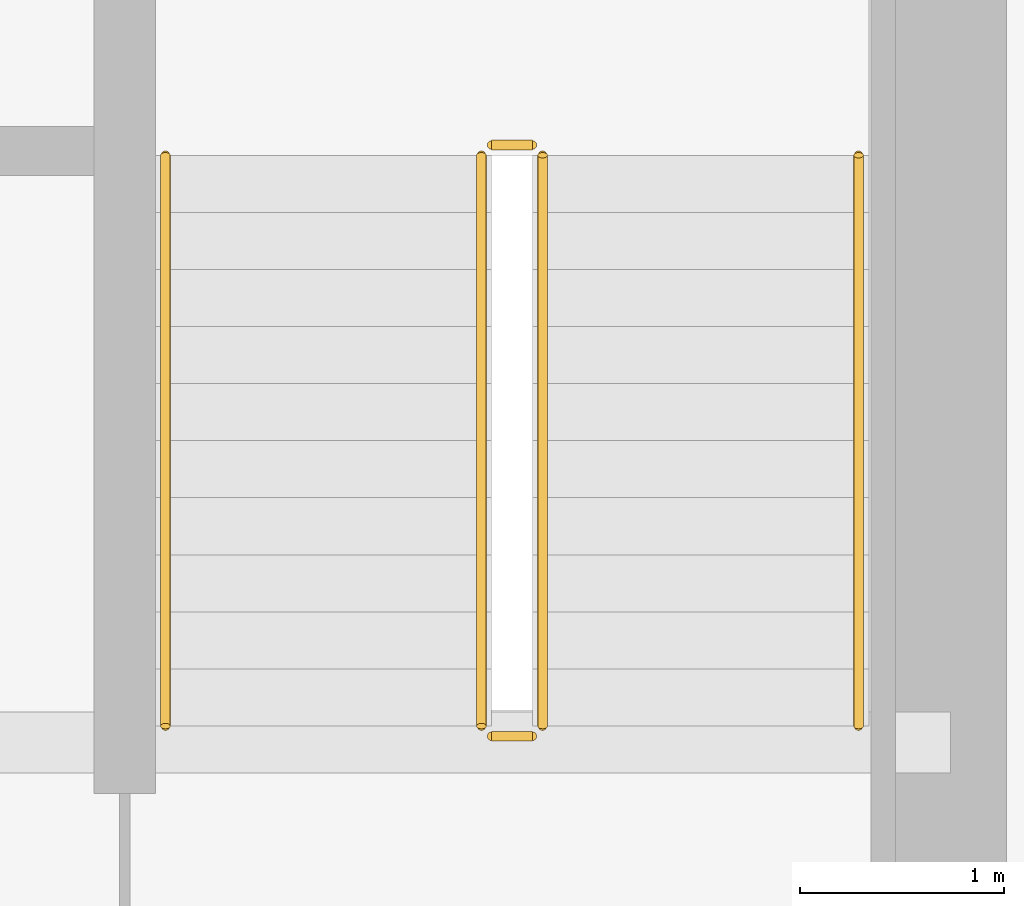
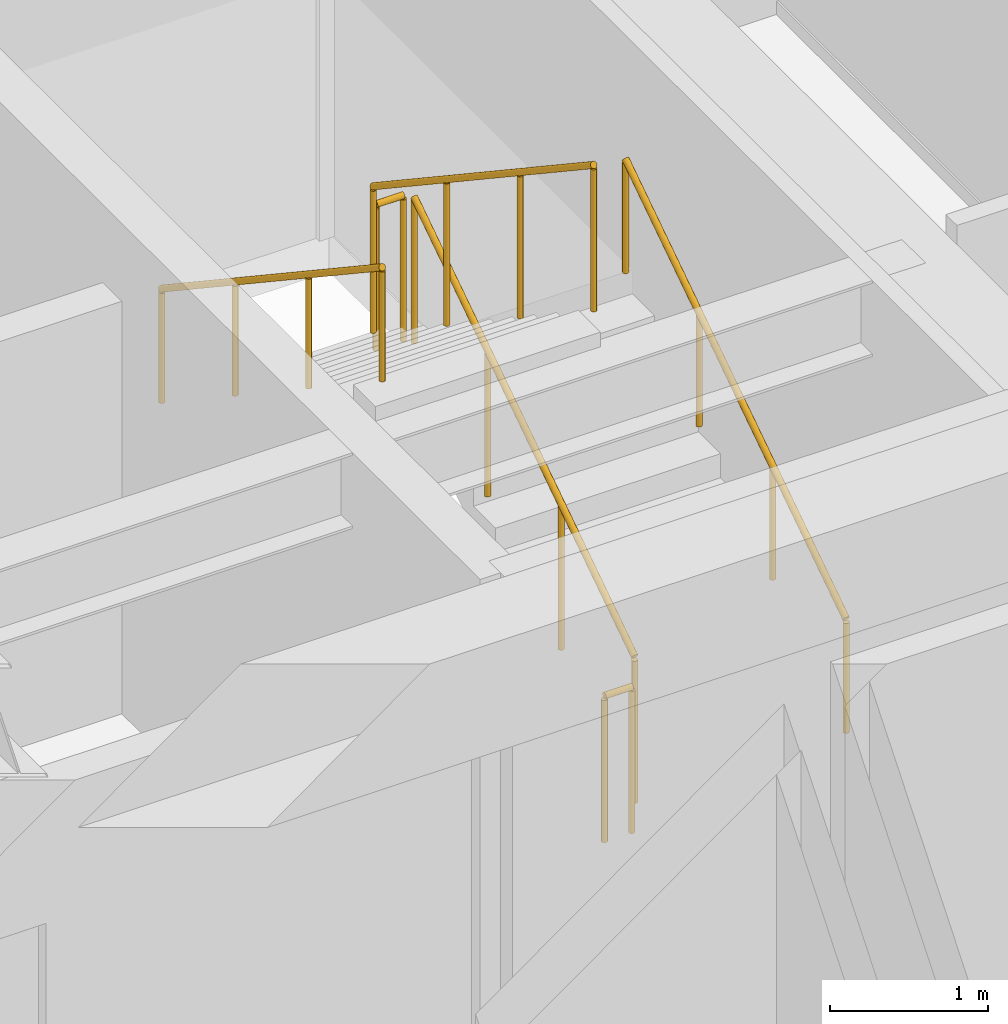
# One storey, part 33 of 33: 6 railings.
"""IFC4 building model written with IfcOpenShell, lengths in metres."""

from ifc_helpers import new_model, si_unit, direction, frame, origin, origin_2d, place, context, subcontext, project, spatial, circle, extrude, source, transform, mapped, material, type_object, type_shapes, element, save


model = new_model("IFC4")

# Units and contexts
model_context = context("Model", 3, precision=1e-05, world=origin(), true_north=direction((0.0, 1.0)))
body_context = subcontext(model_context, "Body", "Model", "MODEL_VIEW")
ifc_project = project(units=[si_unit("LENGTHUNIT", "METRE"), si_unit("AREAUNIT", "SQUARE_METRE"), si_unit("VOLUMEUNIT", "CUBIC_METRE"), si_unit("PLANEANGLEUNIT", "RADIAN"), si_unit("MASSUNIT", "GRAM", prefix="KILO")], contexts=[model_context])

# Site, building, storey
site_placement = place(None, origin())
site = spatial("IfcSite", under=ifc_project, at=site_placement, CompositionType="ELEMENT")
building_placement = place(site_placement, origin())
building = spatial("IfcBuilding", under=site, at=building_placement, Name="Haelvirn Gate Laboratories", CompositionType="ELEMENT")
storey_placement = place(building_placement, frame((0.0, 0.0, 209.60009765625)))
storey = spatial("IfcBuildingStorey", under=building, at=storey_placement, Name="L50", CompositionType="ELEMENT", Elevation=209.60009765625)

# Railings
ifc_material_1 = material(Name="Galvanised steel SM355 & stainless top rail", Category="steel")
railing_type_1 = type_object("IfcRailingType", Name="RL-GUARD-1150", PredefinedType="GUARDRAIL", material=ifc_material_1)
shared_shape_1 = source(origin(), body_context, "Body", "SweptSolid", [
    extrude(circle(Radius=0.02392578125, at=origin_2d()), frame((0.0, 0.0, 1.1259765625), z_axis=(0.0, 0.832485552168, 0.554046753832), x_axis=(-1.0, 0.0, 0.0)), (0.0, 0.0, 1.0), 3.363525390625),
    extrude(circle(Radius=0.02099609375, at=origin_2d()), origin(), (0.0, 0.0, 1.0), 1.101806640625),
    extrude(circle(Radius=0.02099609375, at=origin_2d()), frame((0.0, 0.933349609375, 0.62109375)), (0.0, 0.0, 1.0), 1.101806640625),
    extrude(circle(Radius=0.02099609375, at=origin_2d()), frame((0.0, 1.86669921875, 1.242431640625)), (0.0, 0.0, 1.0), 1.101806640625),
    extrude(circle(Radius=0.02099609375, at=origin_2d()), frame((0.0, 2.800048828125, 1.863525390625)), (0.0, 0.0, 1.0), 1.101806640625),
])
railing_1_placement = place(storey_placement, frame((65.39990234375, 26.699951171875, 0.186279296875)))
element("IfcRailing", 1, at=railing_1_placement, inside=storey, type_object=railing_type_1, Name="L50 ST2 stair guard 1", PredefinedType="GUARDRAIL", context=body_context, shape_type="MappedRepresentation", body=[
    mapped(shared_shape_1, transform((0.0, 0.0, 0.0), scale=1.0)),
])
ifc_material_2 = material(Name="Brushed stainless steel 316L", Category="steel")
railing_type_2 = type_object("IfcRailingType", Name="RL-HAND-920", PredefinedType="HANDRAIL", material=ifc_material_2)
shared_shape_2 = source(origin(), body_context, "Body", "SweptSolid", [
    extrude(circle(Radius=0.02392578125, at=origin_2d()), frame((0.0, 0.0, 0.8759765625), z_axis=(0.0, 0.832485552168, 0.554046753832), x_axis=(-1.0, 0.0, 0.0)), (0.0, 0.0, 1.0), 3.363525390625),
    extrude(circle(Radius=0.02099609375, at=origin_2d()), origin(), (0.0, 0.0, 1.0), 0.851806640625),
    extrude(circle(Radius=0.02099609375, at=origin_2d()), frame((0.0, 0.933349609375, 0.62109375)), (0.0, 0.0, 1.0), 0.851806640625),
    extrude(circle(Radius=0.02099609375, at=origin_2d()), frame((0.0, 1.86669921875, 1.242431640625)), (0.0, 0.0, 1.0), 0.851806640625),
    extrude(circle(Radius=0.02099609375, at=origin_2d()), frame((0.0, 2.800048828125, 1.863525390625)), (0.0, 0.0, 1.0), 0.851806640625),
])
railing_2_placement = place(storey_placement, frame((66.949951171875, 26.699951171875, 0.186279296875)))
element("IfcRailing", 2, at=railing_2_placement, inside=storey, type_object=railing_type_2, Name="L50 ST2 stair handrail 1", PredefinedType="HANDRAIL", context=body_context, shape_type="MappedRepresentation", body=[
    mapped(shared_shape_2, transform((0.0, 0.0, 0.0), scale=1.0)),
])
shared_shape_3 = source(origin(), body_context, "Body", "SweptSolid", [
    extrude(circle(Radius=0.02392578125, at=origin_2d()), frame((0.0, 0.0, 1.1259765625), z_axis=(0.0, -0.832485552168, 0.554046753832), x_axis=(1.0, 0.0, 0.0)), (0.0, 0.0, 1.0), 3.363525390625),
    extrude(circle(Radius=0.02099609375, at=origin_2d()), origin(), (0.0, 0.0, 1.0), 1.101806640625),
    extrude(circle(Radius=0.02099609375, at=origin_2d()), frame((0.0, -0.933349609375, 0.62109375)), (0.0, 0.0, 1.0), 1.101806640625),
    extrude(circle(Radius=0.02099609375, at=origin_2d()), frame((0.0, -1.86669921875, 1.242431640625)), (0.0, 0.0, 1.0), 1.101806640625),
    extrude(circle(Radius=0.02099609375, at=origin_2d()), frame((0.0, -2.800048828125, 1.863525390625)), (0.0, 0.0, 1.0), 1.101806640625),
])
railing_3_placement = place(storey_placement, frame((65.10009765625, 29.5, 2.236328125)))
element("IfcRailing", 3, at=railing_3_placement, inside=storey, type_object=railing_type_1, Name="L50 ST2 stair guard 3", PredefinedType="GUARDRAIL", context=body_context, shape_type="MappedRepresentation", body=[
    mapped(shared_shape_3, transform((0.0, 0.0, 0.0), scale=1.0)),
])
shared_shape_4 = source(origin(), body_context, "Body", "SweptSolid", [
    extrude(circle(Radius=0.02392578125, at=origin_2d()), frame((0.0, 0.0, 0.8759765625), z_axis=(0.0, -0.832485552168, 0.554046753832), x_axis=(1.0, 0.0, 0.0)), (0.0, 0.0, 1.0), 3.363525390625),
    extrude(circle(Radius=0.02099609375, at=origin_2d()), origin(), (0.0, 0.0, 1.0), 0.851806640625),
    extrude(circle(Radius=0.02099609375, at=origin_2d()), frame((0.0, -0.933349609375, 0.62109375)), (0.0, 0.0, 1.0), 0.851806640625),
    extrude(circle(Radius=0.02099609375, at=origin_2d()), frame((0.0, -1.86669921875, 1.242431640625)), (0.0, 0.0, 1.0), 0.851806640625),
    extrude(circle(Radius=0.02099609375, at=origin_2d()), frame((0.0, -2.800048828125, 1.863525390625)), (0.0, 0.0, 1.0), 0.851806640625),
])
type_shapes(railing_type_2, [shared_shape_2, shared_shape_4])
railing_4_placement = place(storey_placement, frame((63.550048828125, 29.5, 2.236328125)))
element("IfcRailing", 4, at=railing_4_placement, inside=storey, type_object=railing_type_2, Name="L50 ST2 stair handrail 2", PredefinedType="HANDRAIL", context=body_context, shape_type="MappedRepresentation", body=[
    mapped(shared_shape_4, transform((0.0, 0.0, 0.0), scale=1.0)),
])
shared_shape_5 = source(origin(), body_context, "Body", "SweptSolid", [
    extrude(circle(Radius=0.02392578125, at=origin_2d()), frame((0.0, 0.0, 1.1259765625), z_axis=(-1.0, 0.0, 0.0), x_axis=(0.0, -1.0, 0.0)), (0.0, 0.0, 1.0), 0.2001953125),
    extrude(circle(Radius=0.02099609375, at=origin_2d()), origin(), (0.0, 0.0, 1.0), 1.101806640625),
    extrude(circle(Radius=0.02099609375, at=origin_2d()), frame((-0.2001953125, 0.0, 0.0)), (0.0, 0.0, 1.0), 1.101806640625),
])
type_shapes(railing_type_1, [shared_shape_1, shared_shape_3, shared_shape_5])
for number, where, name in (
    (5, (65.35009765625, 29.550048828125, 2.0498046875), "L50 ST2 stair guard 2"),
    (6, (65.35009765625, 26.64990234375, 0.0), "L50 ST2 stair guard 4"),
):
    element("IfcRailing", number, at=place(storey_placement, frame(where)), inside=storey, type_object=railing_type_1, Name=name, PredefinedType="GUARDRAIL", context=body_context, shape_type="MappedRepresentation", body=[
        mapped(shared_shape_5, transform((0.0, 0.0, 0.0), scale=1.0)),
    ])

save(model, "model.ifc")
